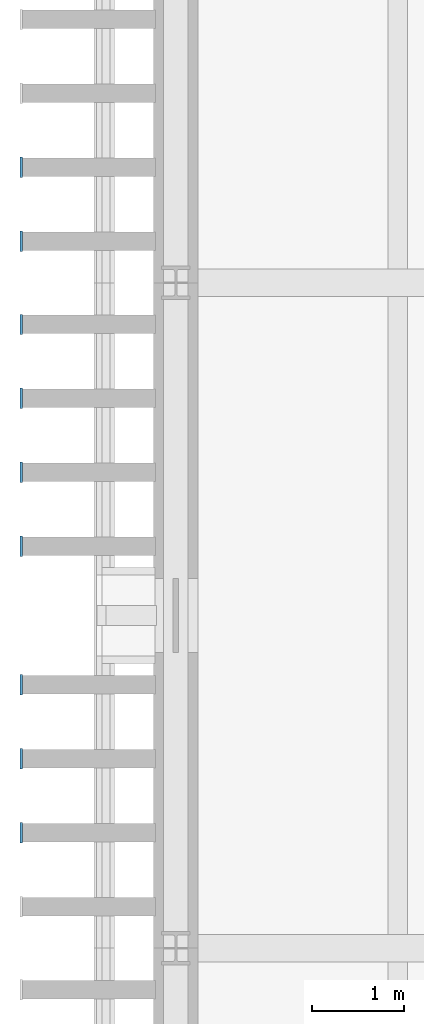
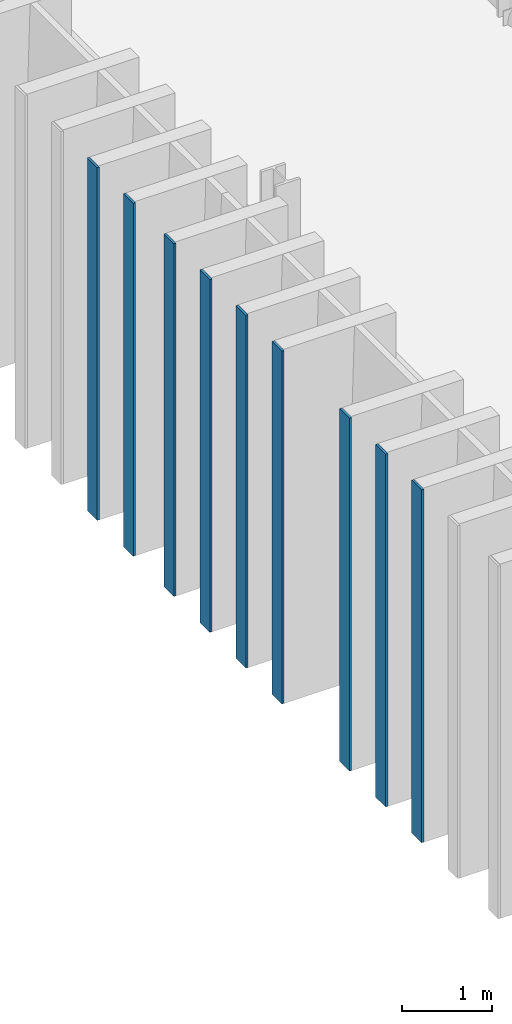
# One storey, part 61 of 121: 9 plates.
"""IFC4 building model written with IfcOpenShell, lengths in metres."""

from ifc_helpers import new_model, si_unit, direction, frame, origin, origin_2d, place, context, subcontext, project, spatial, rectangle, extrude, material, layer, layer_set, type_object, element, save


model = new_model("IFC4")

# Units and contexts
model_context = context("Model", 3, precision=1e-05, world=origin(), true_north=direction((0.0, 1.0)))
body_context = subcontext(model_context, "Body", "Model", "MODEL_VIEW")
ifc_project = project(units=[si_unit("LENGTHUNIT", "METRE"), si_unit("AREAUNIT", "SQUARE_METRE"), si_unit("VOLUMEUNIT", "CUBIC_METRE"), si_unit("PLANEANGLEUNIT", "RADIAN"), si_unit("MASSUNIT", "GRAM", prefix="KILO")], contexts=[model_context])

# Site, building, storey
site_placement = place(None, origin())
site = spatial("IfcSite", under=ifc_project, at=site_placement, CompositionType="ELEMENT")
building_placement = place(site_placement, origin())
building = spatial("IfcBuilding", under=site, at=building_placement, Name="Narikvali Park Central Library", CompositionType="ELEMENT")
storey_placement = place(building_placement, frame((0.0, 0.0, 5.39990234375)))
storey = spatial("IfcBuildingStorey", under=building, at=storey_placement, Name="L01", CompositionType="ELEMENT", Elevation=5.39990234375)

# Plates
ifc_material = material(Name="Anodised Bronze Aluminium", Category="aluminium")
ifc_layer = layer(ifc_material, 0.028076171875, Name="Anodised Bronze Aluminium")
ifc_layer_set = layer_set([ifc_layer], Name="Anodised Bronze Aluminium")
plate_type = type_object("IfcPlateType", Name="Vertical Brick Fin Bronze Bullnose Cap 28", PredefinedType="SHEET", material=ifc_layer_set)
for number, where, z_axis, x_axis, name in (
    (1, (-1.672119140625, 87.64990234375, 0.01025390625), (0.0, 0.0, 1.0), (1.0, 0.0, 0.0), "West Stacks Fin Bullnose Trim 368"),
    (2, (-1.672119140625, 88.449951171875, 0.01025390625), (0.0, 0.0, 1.0), (1.0, 0.0, 0.0), "West Stacks Fin Bullnose Trim 374"),
    (3, (-1.672119140625, 89.25, 0.01025390625), (0.0, 0.0, 1.0), (1.0, 0.0, 0.0), "West Stacks Fin Bullnose Trim 380"),
    (4, (-1.672119140625, 90.75, 0.01025390625), (0.0, 0.0, 1.0), (1.0, 0.0, 0.0), "West Stacks Fin Bullnose Trim 386"),
    (5, (-1.672119140625, 91.550048828125, 0.01025390625), (0.0, 0.0, 1.0), (1.0, 0.0, 0.0), "West Stacks Fin Bullnose Trim 392"),
    (6, (-1.672119140625, 92.35009765625, 0.01025390625), (0.0, 0.0, 1.0), (1.0, 0.0, 0.0), "West Stacks Fin Bullnose Trim 398"),
    (7, (-1.672119140625, 93.14990234375, 0.01025390625), (0.0, 0.0, 1.0), (1.0, 0.0, 0.0), "West Stacks Fin Bullnose Trim 404"),
    (8, (-1.672119140625, 94.050048828125, 0.01025390625), (0.0, 0.0, 1.0), (1.0, 0.0, 0.0), "West Stacks Fin Bullnose Trim 410"),
    (9, (-1.672119140625, 94.85009765625, 0.01025390625), (0.0, 0.0, 1.0), (1.0, 0.0, 0.0), "West Stacks Fin Bullnose Trim 416"),
):
    element("IfcPlate", number, at=place(storey_placement, frame(where, z_axis=z_axis, x_axis=x_axis)), inside=storey, type_object=plate_type, Name=name, PredefinedType="SHEET", context=body_context, shape_type="SweptSolid", body=[
        extrude(rectangle(XDim=0.028076171875, YDim=0.219970703125, at=origin_2d()), origin(), (0.0, 0.0, 1.0), 4.780029296875),
    ])

save(model, "model.ifc")
